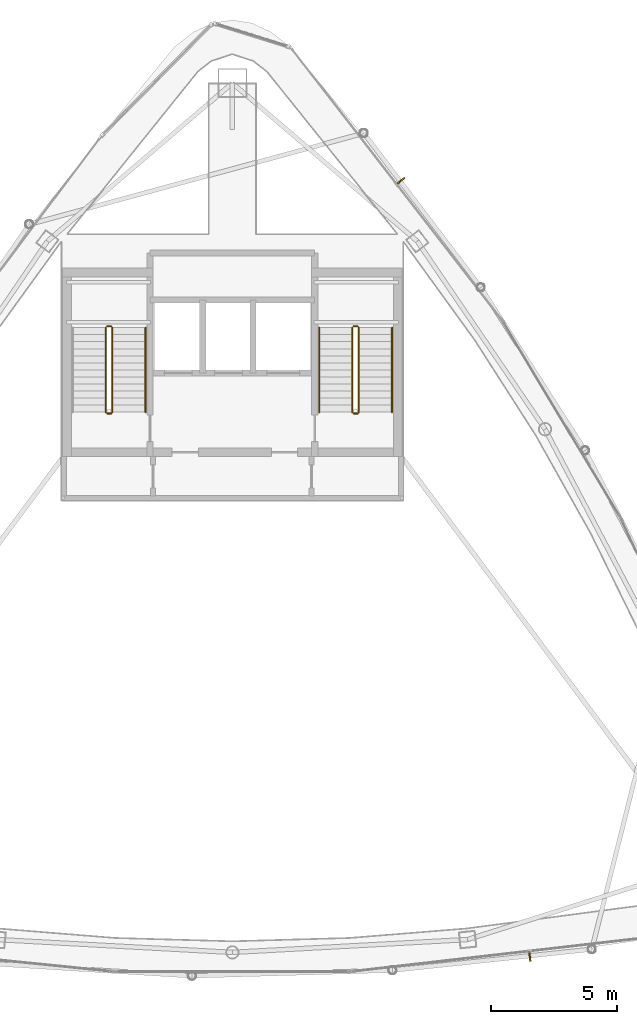
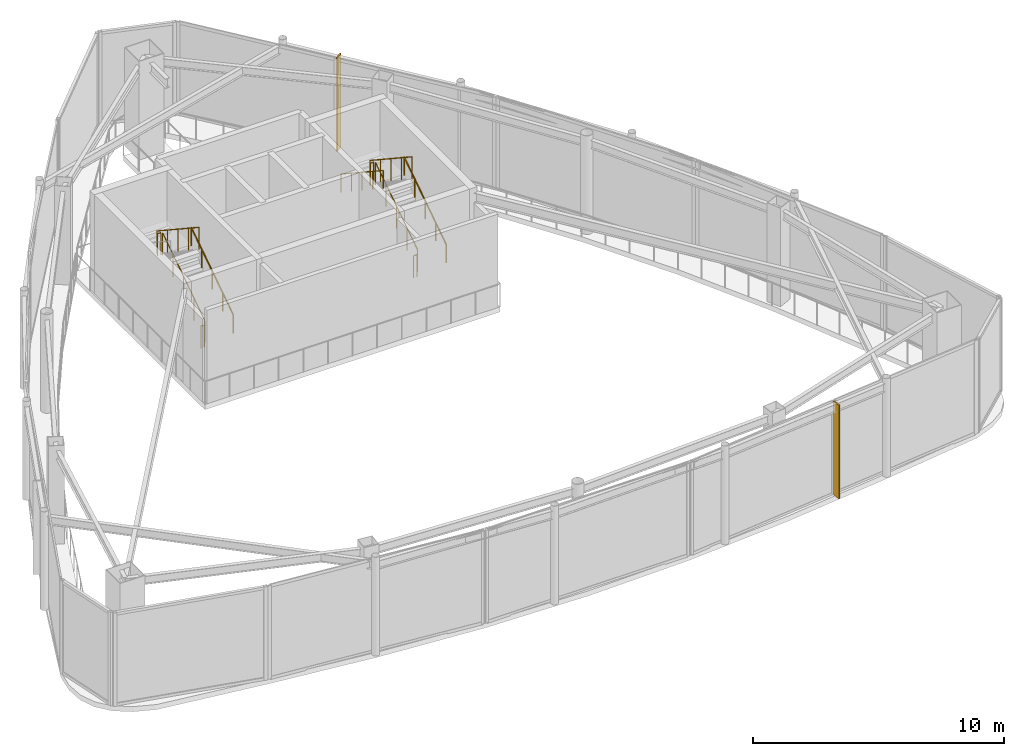
# One storey, part 18 of 19: 11 railings, 2 shading devices.
"""IFC4 building model written with IfcOpenShell, lengths in metres."""

from ifc_helpers import new_model, si_unit, direction, frame, origin, origin_2d, place, context, subcontext, project, spatial, rectangle, circle, extrude, material, layer, layer_set, type_object, element, save


model = new_model("IFC4")

# Units and contexts
model_context = context("Model", 3, precision=1e-05, world=origin(), true_north=direction((0.0, 1.0)))
body_context = subcontext(model_context, "Body", "Model", "MODEL_VIEW")
ifc_project = project(units=[si_unit("LENGTHUNIT", "METRE"), si_unit("AREAUNIT", "SQUARE_METRE"), si_unit("VOLUMEUNIT", "CUBIC_METRE"), si_unit("PLANEANGLEUNIT", "RADIAN"), si_unit("MASSUNIT", "GRAM", prefix="KILO")], contexts=[model_context])

# Site, building, storey
site_placement = place(None, origin())
site = spatial("IfcSite", under=ifc_project, at=site_placement, CompositionType="ELEMENT")
building_placement = place(site_placement, origin())
building = spatial("IfcBuilding", under=site, at=building_placement, Name="Orvanel Arch Residences", CompositionType="ELEMENT")
storey_placement = place(building_placement, frame((0.0, 0.0, 295.699951171875)))
storey = spatial("IfcBuildingStorey", under=building, at=storey_placement, Name="L83", CompositionType="ELEMENT", Elevation=295.699951171875)

# Shading devices
ifc_material_1 = material(Name="Bronze-anodised aluminium AA6063-T6", Category="aluminium")
ifc_layer = layer(ifc_material_1, 0.06005859375)
ifc_layer_set = layer_set([ifc_layer], Name="Bronze-anodised aluminium AA6063-T6")
shading_device_type = type_object("IfcShadingDeviceType", Name="FIN-BRZ-380", PredefinedType="USERDEFINED", material=ifc_layer_set)
for number, where, z_axis, x_axis, name in (
    (1, (44.826904296875, 6.674072265625, 0.0), (0.0, 0.0, 1.0), (0.114937150493, -0.9933727656, 0.0), "L83 Anodised Bronze Mullion FIN 01"),
    (2, (39.702880859375, 37.51904296875, 0.0), (0.0, 0.0, 1.0), (0.790155012376, 0.612907053653, 0.0), "L83 Anodised Bronze Mullion FIN 01"),
):
    element("IfcShadingDevice", number, at=place(storey_placement, frame(where, z_axis=z_axis, x_axis=x_axis)), inside=storey, type_object=shading_device_type, Name=name, ObjectType="FIN", PredefinedType="USERDEFINED", context=body_context, shape_type="SweptSolid", body=[
        extrude(rectangle(XDim=0.3798828125, YDim=0.06005859375, at=origin_2d()), origin(), (0.0, 0.0, 1.0), 4.550048828125),
    ])

# Railings
ifc_material_2 = material(Name="Structural steel AS/NZS 1163 C350L0 (Grade 350)", Category="steel")
railing_type_1 = type_object("IfcRailingType", Name="RL-STAIR-GUARD", PredefinedType="GUARDRAIL", material=ifc_material_2)
railing_1_placement = place(storey_placement, frame((28.22998046875, 28.320068359375, 0.1845703125)))
element("IfcRailing", 3, at=railing_1_placement, inside=storey, type_object=railing_type_1, Name="L83 ST-1 stair guard 1", PredefinedType="GUARDRAIL", context=body_context, shape_type="SweptSolid", body=[
    extrude(circle(Radius=0.02392578125, at=origin_2d()), frame((0.0, 0.001220703125, 1.076904296875), z_axis=(0.0, 0.83483021737, 0.550507500554), x_axis=(-1.0, 0.0, 0.0)), (0.0, 0.0, 1.0), 4.021728515625),
    extrude(circle(Radius=0.02099609375, at=origin_2d()), origin(), (0.0, 0.0, 1.0), 1.050048828125),
    extrude(circle(Radius=0.02099609375, at=origin_2d()), frame((0.0, 0.83984375, 0.553955078125)), (0.0, 0.0, 1.0), 1.050048828125),
    extrude(circle(Radius=0.02099609375, at=origin_2d()), frame((0.0, 1.679931640625, 1.10791015625)), (0.0, 0.0, 1.0), 1.050048828125),
    extrude(circle(Radius=0.02099609375, at=origin_2d()), frame((0.0, 2.52001953125, 1.66162109375)), (0.0, 0.0, 1.0), 1.050048828125),
    extrude(circle(Radius=0.02099609375, at=origin_2d()), frame((0.0, 3.35986328125, 2.215576171875)), (0.0, 0.0, 1.0), 1.050048828125),
])
railing_2_placement = place(storey_placement, frame((28.179931640625, 31.72998046875, 2.400146484375)))
element("IfcRailing", 4, at=railing_2_placement, inside=storey, type_object=railing_type_1, Name="L83 ST-1 stair guard 2", PredefinedType="GUARDRAIL", context=body_context, shape_type="SweptSolid", body=[
    extrude(circle(Radius=0.02392578125, at=origin_2d()), frame((-0.00146484375, 0.0, 1.076171875), z_axis=(-1.0, 0.0, 0.0), x_axis=(0.0, -1.0, 0.0)), (0.0, 0.0, 1.0), 0.156982421875),
    extrude(circle(Radius=0.02099609375, at=origin_2d()), origin(), (0.0, 0.0, 1.0), 1.050048828125),
    extrude(circle(Radius=0.02099609375, at=origin_2d()), frame((-0.159912109375, 0.0, 0.0)), (0.0, 0.0, 1.0), 1.050048828125),
])
railing_3_placement = place(storey_placement, frame((27.969970703125, 31.679931640625, 2.584716796875)))
element("IfcRailing", 5, at=railing_3_placement, inside=storey, type_object=railing_type_1, Name="L83 ST-1 stair guard 3", PredefinedType="GUARDRAIL", context=body_context, shape_type="SweptSolid", body=[
    extrude(circle(Radius=0.02392578125, at=origin_2d()), frame((0.0, -0.001220703125, 1.076904296875), z_axis=(0.0, -0.834858096282, 0.550465220583), x_axis=(1.0, 0.0, 0.0)), (0.0, 0.0, 1.0), 4.021484375),
    extrude(circle(Radius=0.02099609375, at=origin_2d()), origin(), (0.0, 0.0, 1.0), 1.050048828125),
    extrude(circle(Radius=0.02099609375, at=origin_2d()), frame((0.0, -0.83984375, 0.5537109375)), (0.0, 0.0, 1.0), 1.050048828125),
    extrude(circle(Radius=0.02099609375, at=origin_2d()), frame((0.0, -1.679931640625, 1.107666015625)), (0.0, 0.0, 1.0), 1.050048828125),
    extrude(circle(Radius=0.02099609375, at=origin_2d()), frame((0.0, -2.52001953125, 1.66162109375)), (0.0, 0.0, 1.0), 1.050048828125),
    extrude(circle(Radius=0.02099609375, at=origin_2d()), frame((0.0, -3.35986328125, 2.21533203125)), (0.0, 0.0, 1.0), 1.050048828125),
])
railing_4_placement = place(storey_placement, frame((28.179931640625, 28.27001953125, 0.0)))
element("IfcRailing", 6, at=railing_4_placement, inside=storey, type_object=railing_type_1, Name="L83 ST-1 stair guard 4", PredefinedType="GUARDRAIL", context=body_context, shape_type="SweptSolid", body=[
    extrude(circle(Radius=0.02392578125, at=origin_2d()), frame((-0.00146484375, 0.0, 1.076171875), z_axis=(-1.0, 0.0, 0.0), x_axis=(0.0, -1.0, 0.0)), (0.0, 0.0, 1.0), 0.156982421875),
    extrude(circle(Radius=0.02099609375, at=origin_2d()), origin(), (0.0, 0.0, 1.0), 1.050048828125),
    extrude(circle(Radius=0.02099609375, at=origin_2d()), frame((-0.159912109375, 0.0, 0.0)), (0.0, 0.0, 1.0), 1.050048828125),
])
railing_5_placement = place(storey_placement, frame((38.030029296875, 28.320068359375, 0.1845703125)))
element("IfcRailing", 7, at=railing_5_placement, inside=storey, type_object=railing_type_1, Name="L83 ST-2 stair guard 1", PredefinedType="GUARDRAIL", context=body_context, shape_type="SweptSolid", body=[
    extrude(circle(Radius=0.02392578125, at=origin_2d()), frame((0.0, 0.001220703125, 1.076904296875), z_axis=(0.0, 0.83483021737, 0.550507500554), x_axis=(-1.0, 0.0, 0.0)), (0.0, 0.0, 1.0), 4.021728515625),
    extrude(circle(Radius=0.02099609375, at=origin_2d()), origin(), (0.0, 0.0, 1.0), 1.050048828125),
    extrude(circle(Radius=0.02099609375, at=origin_2d()), frame((0.0, 0.83984375, 0.553955078125)), (0.0, 0.0, 1.0), 1.050048828125),
    extrude(circle(Radius=0.02099609375, at=origin_2d()), frame((0.0, 1.679931640625, 1.10791015625)), (0.0, 0.0, 1.0), 1.050048828125),
    extrude(circle(Radius=0.02099609375, at=origin_2d()), frame((0.0, 2.52001953125, 1.66162109375)), (0.0, 0.0, 1.0), 1.050048828125),
    extrude(circle(Radius=0.02099609375, at=origin_2d()), frame((0.0, 3.35986328125, 2.215576171875)), (0.0, 0.0, 1.0), 1.050048828125),
])
railing_6_placement = place(storey_placement, frame((37.97998046875, 31.72998046875, 2.400146484375)))
element("IfcRailing", 8, at=railing_6_placement, inside=storey, type_object=railing_type_1, Name="L83 ST-2 stair guard 2", PredefinedType="GUARDRAIL", context=body_context, shape_type="SweptSolid", body=[
    extrude(circle(Radius=0.02392578125, at=origin_2d()), frame((-0.00146484375, 0.0, 1.076171875), z_axis=(-1.0, 0.0, 0.0), x_axis=(0.0, -1.0, 0.0)), (0.0, 0.0, 1.0), 0.156982421875),
    extrude(circle(Radius=0.02099609375, at=origin_2d()), origin(), (0.0, 0.0, 1.0), 1.050048828125),
    extrude(circle(Radius=0.02099609375, at=origin_2d()), frame((-0.159912109375, 0.0, 0.0)), (0.0, 0.0, 1.0), 1.050048828125),
])
railing_7_placement = place(storey_placement, frame((37.77001953125, 31.679931640625, 2.584716796875)))
element("IfcRailing", 9, at=railing_7_placement, inside=storey, type_object=railing_type_1, Name="L83 ST-2 stair guard 3", PredefinedType="GUARDRAIL", context=body_context, shape_type="SweptSolid", body=[
    extrude(circle(Radius=0.02392578125, at=origin_2d()), frame((0.0, -0.001220703125, 1.076904296875), z_axis=(0.0, -0.834858096282, 0.550465220583), x_axis=(1.0, 0.0, 0.0)), (0.0, 0.0, 1.0), 4.021484375),
    extrude(circle(Radius=0.02099609375, at=origin_2d()), origin(), (0.0, 0.0, 1.0), 1.050048828125),
    extrude(circle(Radius=0.02099609375, at=origin_2d()), frame((0.0, -0.83984375, 0.5537109375)), (0.0, 0.0, 1.0), 1.050048828125),
    extrude(circle(Radius=0.02099609375, at=origin_2d()), frame((0.0, -1.679931640625, 1.107666015625)), (0.0, 0.0, 1.0), 1.050048828125),
    extrude(circle(Radius=0.02099609375, at=origin_2d()), frame((0.0, -2.52001953125, 1.66162109375)), (0.0, 0.0, 1.0), 1.050048828125),
    extrude(circle(Radius=0.02099609375, at=origin_2d()), frame((0.0, -3.35986328125, 2.21533203125)), (0.0, 0.0, 1.0), 1.050048828125),
])
railing_8_placement = place(storey_placement, frame((37.97998046875, 28.27001953125, 0.0)))
element("IfcRailing", 10, at=railing_8_placement, inside=storey, type_object=railing_type_1, Name="L83 ST-2 stair guard 4", PredefinedType="GUARDRAIL", context=body_context, shape_type="SweptSolid", body=[
    extrude(circle(Radius=0.02392578125, at=origin_2d()), frame((-0.00146484375, 0.0, 1.076171875), z_axis=(-1.0, 0.0, 0.0), x_axis=(0.0, -1.0, 0.0)), (0.0, 0.0, 1.0), 0.156982421875),
    extrude(circle(Radius=0.02099609375, at=origin_2d()), origin(), (0.0, 0.0, 1.0), 1.050048828125),
    extrude(circle(Radius=0.02099609375, at=origin_2d()), frame((-0.159912109375, 0.0, 0.0)), (0.0, 0.0, 1.0), 1.050048828125),
])
railing_type_2 = type_object("IfcRailingType", Name="RL-STAIR-HAND", PredefinedType="HANDRAIL", material=ifc_material_2)
for number, where, name in (
    (11, (29.550048828125, 28.320068359375, 0.1845703125), "L83 ST-1 stair handrail 1"),
    (12, (39.35009765625, 28.320068359375, 0.1845703125), "L83 ST-2 stair handrail 1"),
):
    element("IfcRailing", number, at=place(storey_placement, frame(where)), inside=storey, type_object=railing_type_2, Name=name, PredefinedType="HANDRAIL", context=body_context, shape_type="SweptSolid", body=[
        extrude(circle(Radius=0.02392578125, at=origin_2d()), frame((0.0, 0.001220703125, 0.876708984375), z_axis=(0.0, 0.83483021737, 0.550507500554), x_axis=(-1.0, 0.0, 0.0)), (0.0, 0.0, 1.0), 4.021728515625),
        extrude(circle(Radius=0.02099609375, at=origin_2d()), origin(), (0.0, 0.0, 1.0), 0.849853515625),
        extrude(circle(Radius=0.02099609375, at=origin_2d()), frame((0.0, 0.83984375, 0.553955078125)), (0.0, 0.0, 1.0), 0.849853515625),
        extrude(circle(Radius=0.02099609375, at=origin_2d()), frame((0.0, 1.679931640625, 1.10791015625)), (0.0, 0.0, 1.0), 0.849853515625),
        extrude(circle(Radius=0.02099609375, at=origin_2d()), frame((0.0, 2.52001953125, 1.66162109375)), (0.0, 0.0, 1.0), 0.849853515625),
        extrude(circle(Radius=0.02099609375, at=origin_2d()), frame((0.0, 3.35986328125, 2.215576171875)), (0.0, 0.0, 1.0), 0.849853515625),
    ])
railing_9_placement = place(storey_placement, frame((36.449951171875, 31.679931640625, 2.584716796875)))
element("IfcRailing", 13, at=railing_9_placement, inside=storey, type_object=railing_type_2, Name="L83 ST-2 stair handrail 2", PredefinedType="HANDRAIL", context=body_context, shape_type="SweptSolid", body=[
    extrude(circle(Radius=0.02392578125, at=origin_2d()), frame((0.0, -0.001220703125, 0.876708984375), z_axis=(0.0, -0.834858096282, 0.550465220583), x_axis=(1.0, 0.0, 0.0)), (0.0, 0.0, 1.0), 4.021484375),
    extrude(circle(Radius=0.02099609375, at=origin_2d()), origin(), (0.0, 0.0, 1.0), 0.849853515625),
    extrude(circle(Radius=0.02099609375, at=origin_2d()), frame((0.0, -0.83984375, 0.5537109375)), (0.0, 0.0, 1.0), 0.849853515625),
    extrude(circle(Radius=0.02099609375, at=origin_2d()), frame((0.0, -1.679931640625, 1.107666015625)), (0.0, 0.0, 1.0), 0.849853515625),
    extrude(circle(Radius=0.02099609375, at=origin_2d()), frame((0.0, -2.52001953125, 1.66162109375)), (0.0, 0.0, 1.0), 0.849853515625),
    extrude(circle(Radius=0.02099609375, at=origin_2d()), frame((0.0, -3.35986328125, 2.21533203125)), (0.0, 0.0, 1.0), 0.849853515625),
])

save(model, "model.ifc")
